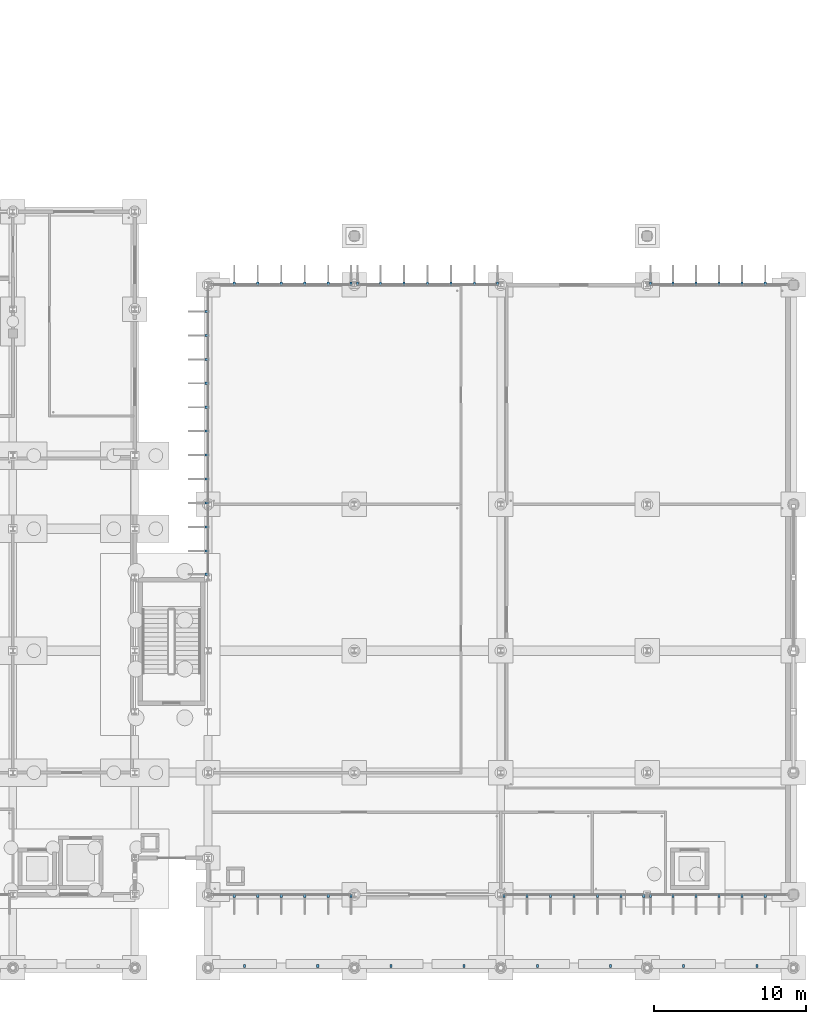
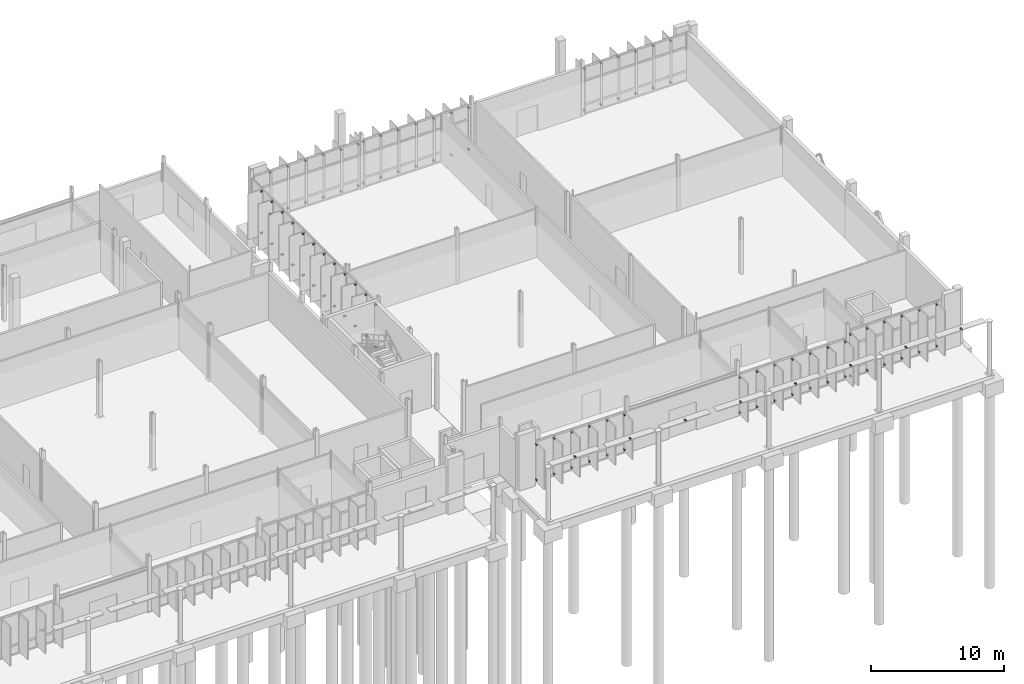
# One storey, part 101 of 111: 108 discrete accessories.
"""IFC4 building model written with IfcOpenShell, lengths in metres."""

import ifcopenshell
import ifcopenshell.guid

model = None  # the IFC model being written
_history = None  # IfcOwnerHistory: only IFC2X3 demands one
_inside = {}  # id of a spatial element -> (the spatial element, [elements in it])
_under = {}  # id of a project, library or spatial element -> (it, [spatial elements below it])
_declared = {}  # id of a project -> (the project, [libraries it declares])
_typed = {}  # id of a type object -> (the type object, [elements of that type])
_made_of = {}  # id of a material, layer set ... -> (it, [elements and type objects made of it])


def new_model(schema):
    """Start an empty IFC model of exactly this schema.

    Asked for "IFC4X3", IfcOpenShell would pick the latest addendum, in which some entities
    have other attributes; the version numbers below select the first issue.
    IFC2X3 requires an IfcOwnerHistory on every rooted entity: one is made here for all.
    """
    global model, _history
    if schema == "IFC4X3":
        model = ifcopenshell.file(schema_version=(4, 3, 0, 0))
    else:
        model = ifcopenshell.file(schema=schema)
    _inside.clear()
    _under.clear()
    _declared.clear()
    _typed.clear()
    _made_of.clear()
    _history = None
    if model.schema == "IFC2X3":
        org = make("IfcOrganization", Name="unknown")
        user = make(
            "IfcPersonAndOrganization",
            ThePerson=make("IfcPerson", FamilyName="unknown"),
            TheOrganization=org,
        )
        app = make(
            "IfcApplication",
            ApplicationDeveloper=org,
            Version="unknown",
            ApplicationFullName="unknown",
            ApplicationIdentifier="unknown",
        )
        _history = make(
            "IfcOwnerHistory",
            OwningUser=user,
            OwningApplication=app,
            ChangeAction="ADDED",
            CreationDate=0,
        )
    return model


def make(cls, **values):
    """One entity of the class cls with the attributes given. An attribute that is None is left unset."""
    return model.create_entity(
        cls, **{name: value for name, value in values.items() if value is not None}
    )


def rooted(cls, **values):
    """An entity with a GlobalId (a new one), such as an element, a storey or a relation."""
    return make(cls, GlobalId=ifcopenshell.guid.new(), OwnerHistory=_history, **values)


def si_unit(unit_type, name, prefix=None):
    """IfcSIUnit, for example si_unit("LENGTHUNIT", "METRE", prefix="MILLI")."""
    return make("IfcSIUnit", UnitType=unit_type, Prefix=prefix, Name=name)


def assignment(units):
    """IfcUnitAssignment: the units of a project."""
    return None if units is None else make("IfcUnitAssignment", Units=units)


def point(xyz):
    """IfcCartesianPoint."""
    return None if xyz is None else make("IfcCartesianPoint", Coordinates=xyz)


def direction(xyz):
    """IfcDirection."""
    return None if xyz is None else make("IfcDirection", DirectionRatios=xyz)


def frame(location, z_axis=None, x_axis=None):
    """IfcAxis2Placement3D, a coordinate frame: its origin and axes. An axis left out is left unset."""
    return make(
        "IfcAxis2Placement3D",
        Location=point(location),
        Axis=direction(z_axis),
        RefDirection=direction(x_axis),
    )


def frame_2d(location, x_axis=None):
    """IfcAxis2Placement2D, a coordinate frame in the plane: its origin and x axis."""
    return make(
        "IfcAxis2Placement2D", Location=point(location), RefDirection=direction(x_axis)
    )


def origin():
    """The frame at (0, 0, 0) with its axes left unset."""
    return frame((0.0, 0.0, 0.0))


def origin_2d():
    """The frame at (0, 0) in the plane with its x axis left unset."""
    return frame_2d((0.0, 0.0))


def place(relative_to, where):
    """IfcLocalPlacement: puts the frame where relative to a parent placement (None: the world)."""
    return make(
        "IfcLocalPlacement", PlacementRelTo=relative_to, RelativePlacement=where
    )


def context(
    kind, dimensions, precision=None, world=None, true_north=None, identifier=None
):
    """IfcGeometricRepresentationContext, for example the 3D "Model" context."""
    return make(
        "IfcGeometricRepresentationContext",
        ContextIdentifier=identifier,
        ContextType=kind,
        CoordinateSpaceDimension=dimensions,
        Precision=precision,
        WorldCoordinateSystem=world,
        TrueNorth=true_north,
    )


def subcontext(parent, identifier, kind, view, scale=None):
    """IfcGeometricRepresentationSubContext, for example "Body" below "Model"."""
    return make(
        "IfcGeometricRepresentationSubContext",
        ContextIdentifier=identifier,
        ContextType=kind,
        ParentContext=parent,
        TargetScale=scale,
        TargetView=view,
    )


def project(units=None, contexts=None):
    """IfcProject with its units and contexts."""
    return rooted(
        "IfcProject",
        Name="project",
        RepresentationContexts=contexts,
        UnitsInContext=assignment(units),
    )


def spatial(cls, under=None, at=None, **own):
    """A site, building, storey or space (cls), placed at a placement, below another one or the project."""
    s = rooted(cls, ObjectPlacement=at, **own)
    if under is not None:
        _under.setdefault(under.id(), (under, []))[1].append(s)
    return s


def profile(cls, at=None, kind="AREA", **sizes):
    """A parametric profile (cls). Its sizes go by their IFC names, for example OverallWidth=200.0."""
    return make(cls, ProfileType=kind, Position=at, **sizes)


def rectangle(**sizes):
    """IfcRectangleProfileDef."""
    return profile("IfcRectangleProfileDef", **sizes)


def extrude(swept, where, along, depth):
    """IfcExtrudedAreaSolid: the profile swept, set in the frame where, extruded along a direction by depth."""
    return make(
        "IfcExtrudedAreaSolid",
        SweptArea=swept,
        Position=where,
        ExtrudedDirection=direction(along),
        Depth=depth,
    )


def shape(context_of_items, identifier, shape_type, items):
    """IfcShapeRepresentation: the items that make up one representation, for example the "Body"."""
    return make(
        "IfcShapeRepresentation",
        ContextOfItems=context_of_items,
        RepresentationIdentifier=identifier,
        RepresentationType=shape_type,
        Items=items,
    )


def material(Name=None, Category=None):
    """IfcMaterial."""
    return make("IfcMaterial", Name=Name, Category=Category)


def made_of(thing, what):
    """Note that an element or type object is made of a material, layer set ...; save() writes the relation."""
    if what is not None:
        _made_of.setdefault(what.id(), (what, []))[1].append(thing)
    return thing


def type_object(cls, material=None, **own):
    """A type object (cls), such as IfcWallType, which elements share."""
    return made_of(rooted(cls, **own), material)


def element(
    cls,
    number,
    at=None,
    inside=None,
    cuts=None,
    type_object=None,
    material=None,
    context=None,
    identifier="Body",
    shape_type=None,
    held_by="IfcProductDefinitionShape",
    body=None,
    shapes=None,
    **own,
):
    """One element of the class cls, such as IfcWall. Its Tag is "e" and its number.

    at: its placement. inside: the storey or other place that contains it. cuts: it is an
    opening in that element (IfcRelVoidsElement). A single representation is given by context,
    identifier, shape_type and body (its items); several are given by shapes. held_by: the class
    of the entity that holds the representations. save() writes the other relations.
    """
    e = rooted(cls, Tag="e%d" % number, ObjectPlacement=at, **own)
    if body is not None:
        shapes = [shape(context, identifier, shape_type, body)]
    if shapes is not None:
        e.Representation = make(held_by, Representations=shapes)
    if inside is not None:
        _inside.setdefault(inside.id(), (inside, []))[1].append(e)
    if cuts is not None:
        rooted(
            "IfcRelVoidsElement", RelatingBuildingElement=cuts, RelatedOpeningElement=e
        )
    if type_object is not None:
        _typed.setdefault(type_object.id(), (type_object, []))[1].append(e)
    return made_of(e, material)


def aggregate(whole, parts):
    """IfcRelAggregates: a whole, such as a stair, and the parts it consists of."""
    return rooted("IfcRelAggregates", RelatingObject=whole, RelatedObjects=parts)


def save(model, path):
    """Write the relations noted so far, then the file.

    IfcRelAggregates (storeys below a building ...), IfcRelContainedInSpatialStructure (elements
    in a storey), IfcRelDefinesByType, IfcRelAssociatesMaterial and IfcRelDeclares: one each for
    every whole, place, type object, material and project.
    """
    for whole, parts in _under.values():
        aggregate(whole, parts)
    for where, things in _inside.values():
        rooted(
            "IfcRelContainedInSpatialStructure",
            RelatedElements=things,
            RelatingStructure=where,
        )
    for kind, things in _typed.values():
        rooted("IfcRelDefinesByType", RelatedObjects=things, RelatingType=kind)
    for what, things in _made_of.values():
        rooted("IfcRelAssociatesMaterial", RelatedObjects=things, RelatingMaterial=what)
    for by, libraries in _declared.values():
        rooted("IfcRelDeclares", RelatingContext=by, RelatedDefinitions=libraries)
    model.write(path)


model = new_model("IFC4")

# Units and contexts
model_context = context("Model", 3, precision=1e-05, world=origin(), true_north=direction((0.0, 1.0)))
body_context = subcontext(model_context, "Body", "Model", "MODEL_VIEW")
ifc_project = project(units=[si_unit("LENGTHUNIT", "METRE"), si_unit("AREAUNIT", "SQUARE_METRE"), si_unit("VOLUMEUNIT", "CUBIC_METRE"), si_unit("PLANEANGLEUNIT", "RADIAN"), si_unit("MASSUNIT", "GRAM", prefix="KILO")], contexts=[model_context])

# Site, building, storey
site_placement = place(None, origin())
site = spatial("IfcSite", under=ifc_project, at=site_placement, CompositionType="ELEMENT")
building_placement = place(site_placement, origin())
building = spatial("IfcBuilding", under=site, at=building_placement, Name="Dunescarp Central Library", CompositionType="ELEMENT")
storey_placement = place(building_placement, origin())
storey = spatial("IfcBuildingStorey", under=building, at=storey_placement, Name="L00", CompositionType="ELEMENT", Elevation=0.0)

# Discrete accessories
ifc_material = material(Name="Stainless steel Grade 316L", Category="steel")
discrete_accessory_type = type_object("IfcDiscreteAccessoryType", Name="ARC-ACC-BRK", PredefinedType="BRACKET", material=ifc_material)
for number, where, z_axis, x_axis, name in (
    (1, (138.985107421875, 4.719970703125, 0.27685546875), (0.0, 0.0, 1.0), (0.0, -1.0, 0.0), "Fin bracket BRK-FIN-L00-0916-B"),
    (2, (138.985107421875, 4.719970703125, 3.47509765625), (0.0, 0.0, 1.0), (0.0, -1.0, 0.0), "Fin bracket BRK-FIN-L00-0916-T"),
    (3, (137.48291015625, 4.719970703125, 0.2900390625), (0.0, 0.0, 1.0), (0.0, -1.0, 0.0), "Fin bracket BRK-FIN-L00-0917-B"),
    (4, (137.48291015625, 4.719970703125, 3.47509765625), (0.0, 0.0, 1.0), (0.0, -1.0, 0.0), "Fin bracket BRK-FIN-L00-0917-T"),
    (5, (135.94189453125, 4.719970703125, 0.27392578125), (0.0, 0.0, 1.0), (0.0, -1.0, 0.0), "Fin bracket BRK-FIN-L00-0918-B"),
    (6, (135.94189453125, 4.719970703125, 3.47509765625), (0.0, 0.0, 1.0), (0.0, -1.0, 0.0), "Fin bracket BRK-FIN-L00-0918-T"),
    (7, (134.39990234375, 4.719970703125, 0.23291015625), (0.0, 0.0, 1.0), (0.0, -1.0, 0.0), "Fin bracket BRK-FIN-L00-0919-B"),
    (8, (134.39990234375, 4.719970703125, 3.47509765625), (0.0, 0.0, 1.0), (0.0, -1.0, 0.0), "Fin bracket BRK-FIN-L00-0919-T"),
    (9, (132.85791015625, 4.719970703125, 0.18994140625), (0.0, 0.0, 1.0), (0.0, -1.0, 0.0), "Fin bracket BRK-FIN-L00-0920-B"),
    (10, (132.85791015625, 4.719970703125, 3.4638671875), (0.0, 0.0, 1.0), (0.0, -1.0, 0.0), "Fin bracket BRK-FIN-L00-0920-T"),
    (11, (131.31689453125, 4.719970703125, 0.18994140625), (0.0, 0.0, 1.0), (0.0, -1.0, 0.0), "Fin bracket BRK-FIN-L00-0921-B"),
    (12, (131.31689453125, 4.719970703125, 3.4140625), (0.0, 0.0, 1.0), (0.0, -1.0, 0.0), "Fin bracket BRK-FIN-L00-0921-T"),
    (13, (158.18505859375, 4.719970703125, 0.27685546875), (0.0, 0.0, 1.0), (0.0, -1.0, 0.0), "Fin bracket BRK-FIN-L00-0922-B"),
    (14, (158.18505859375, 4.719970703125, 3.47509765625), (0.0, 0.0, 1.0), (0.0, -1.0, 0.0), "Fin bracket BRK-FIN-L00-0922-T"),
    (15, (156.68310546875, 4.719970703125, 0.2900390625), (0.0, 0.0, 1.0), (0.0, -1.0, 0.0), "Fin bracket BRK-FIN-L00-0923-B"),
    (16, (156.68310546875, 4.719970703125, 3.47509765625), (0.0, 0.0, 1.0), (0.0, -1.0, 0.0), "Fin bracket BRK-FIN-L00-0923-T"),
    (17, (155.14208984375, 4.719970703125, 0.27392578125), (0.0, 0.0, 1.0), (0.0, -1.0, 0.0), "Fin bracket BRK-FIN-L00-0924-B"),
    (18, (155.14208984375, 4.719970703125, 3.47509765625), (0.0, 0.0, 1.0), (0.0, -1.0, 0.0), "Fin bracket BRK-FIN-L00-0924-T"),
    (19, (153.60009765625, 4.719970703125, 0.23291015625), (0.0, 0.0, 1.0), (0.0, -1.0, 0.0), "Fin bracket BRK-FIN-L00-0925-B"),
    (20, (153.60009765625, 4.719970703125, 3.47509765625), (0.0, 0.0, 1.0), (0.0, -1.0, 0.0), "Fin bracket BRK-FIN-L00-0925-T"),
    (21, (152.05810546875, 4.719970703125, 0.18994140625), (0.0, 0.0, 1.0), (0.0, -1.0, 0.0), "Fin bracket BRK-FIN-L00-0926-B"),
    (22, (152.05810546875, 4.719970703125, 3.4638671875), (0.0, 0.0, 1.0), (0.0, -1.0, 0.0), "Fin bracket BRK-FIN-L00-0926-T"),
    (23, (150.51708984375, 4.719970703125, 0.18994140625), (0.0, 0.0, 1.0), (0.0, -1.0, 0.0), "Fin bracket BRK-FIN-L00-0927-B"),
    (24, (150.51708984375, 4.719970703125, 3.4140625), (0.0, 0.0, 1.0), (0.0, -1.0, 0.0), "Fin bracket BRK-FIN-L00-0927-T"),
    (25, (149.014892578125, 4.719970703125, 0.18994140625), (0.0, 0.0, 1.0), (0.0, -1.0, 0.0), "Fin bracket BRK-FIN-L00-0928-B"),
    (26, (149.014892578125, 4.719970703125, 3.380859375), (0.0, 0.0, 1.0), (0.0, -1.0, 0.0), "Fin bracket BRK-FIN-L00-0928-T"),
    (27, (166.14990234375, 4.719970703125, 0.2900390625), (0.0, 0.0, 1.0), (0.0, -1.0, 0.0), "Fin bracket BRK-FIN-L00-0929-B"),
    (28, (166.14990234375, 4.719970703125, 4.11181640625), (0.0, 0.0, 1.0), (0.0, -1.0, 0.0), "Fin bracket BRK-FIN-L00-0929-T"),
    (29, (164.635009765625, 4.719970703125, 0.27392578125), (0.0, 0.0, 1.0), (0.0, -1.0, 0.0), "Fin bracket BRK-FIN-L00-0930-B"),
    (30, (164.635009765625, 4.719970703125, 4.11181640625), (0.0, 0.0, 1.0), (0.0, -1.0, 0.0), "Fin bracket BRK-FIN-L00-0930-T"),
    (31, (163.1201171875, 4.719970703125, 0.23291015625), (0.0, 0.0, 1.0), (0.0, -1.0, 0.0), "Fin bracket BRK-FIN-L00-0931-B"),
    (32, (163.1201171875, 4.719970703125, 4.11181640625), (0.0, 0.0, 1.0), (0.0, -1.0, 0.0), "Fin bracket BRK-FIN-L00-0931-T"),
    (33, (161.60498046875, 4.719970703125, 0.18994140625), (0.0, 0.0, 1.0), (0.0, -1.0, 0.0), "Fin bracket BRK-FIN-L00-0932-B"),
    (34, (161.60498046875, 4.719970703125, 4.10107421875), (0.0, 0.0, 1.0), (0.0, -1.0, 0.0), "Fin bracket BRK-FIN-L00-0932-T"),
    (35, (160.090087890625, 4.719970703125, 0.18994140625), (0.0, 0.0, 1.0), (0.0, -1.0, 0.0), "Fin bracket BRK-FIN-L00-0933-B"),
    (36, (160.090087890625, 4.719970703125, 4.05126953125), (0.0, 0.0, 1.0), (0.0, -1.0, 0.0), "Fin bracket BRK-FIN-L00-0933-T"),
    (37, (158.614990234375, 4.719970703125, 0.18994140625), (0.0, 0.0, 1.0), (0.0, -1.0, 0.0), "Fin bracket BRK-FIN-L00-0934-B"),
    (38, (158.614990234375, 4.719970703125, 4.01806640625), (0.0, 0.0, 1.0), (0.0, -1.0, 0.0), "Fin bracket BRK-FIN-L00-0934-T"),
    (39, (131.31689453125, 44.8798828125, 0.2900390625), (0.0, 0.0, 1.0), (0.0, 1.0, 0.0), "Fin bracket BRK-FIN-L00-0935-B"),
    (40, (131.31689453125, 44.8798828125, 4.11181640625), (0.0, 0.0, 1.0), (0.0, 1.0, 0.0), "Fin bracket BRK-FIN-L00-0935-T"),
    (41, (132.85791015625, 44.8798828125, 0.27392578125), (0.0, 0.0, 1.0), (0.0, 1.0, 0.0), "Fin bracket BRK-FIN-L00-0936-B"),
    (42, (132.85791015625, 44.8798828125, 4.11181640625), (0.0, 0.0, 1.0), (0.0, 1.0, 0.0), "Fin bracket BRK-FIN-L00-0936-T"),
    (43, (134.39990234375, 44.8798828125, 0.23291015625), (0.0, 0.0, 1.0), (0.0, 1.0, 0.0), "Fin bracket BRK-FIN-L00-0937-B"),
    (44, (134.39990234375, 44.8798828125, 4.11181640625), (0.0, 0.0, 1.0), (0.0, 1.0, 0.0), "Fin bracket BRK-FIN-L00-0937-T"),
    (45, (135.94189453125, 44.8798828125, 0.18994140625), (0.0, 0.0, 1.0), (0.0, 1.0, 0.0), "Fin bracket BRK-FIN-L00-0938-B"),
    (46, (135.94189453125, 44.8798828125, 4.10107421875), (0.0, 0.0, 1.0), (0.0, 1.0, 0.0), "Fin bracket BRK-FIN-L00-0938-T"),
    (47, (137.48291015625, 44.8798828125, 0.18994140625), (0.0, 0.0, 1.0), (0.0, 1.0, 0.0), "Fin bracket BRK-FIN-L00-0939-B"),
    (48, (137.48291015625, 44.8798828125, 4.05126953125), (0.0, 0.0, 1.0), (0.0, 1.0, 0.0), "Fin bracket BRK-FIN-L00-0939-T"),
    (49, (138.985107421875, 44.8798828125, 0.18994140625), (0.0, 0.0, 1.0), (0.0, 1.0, 0.0), "Fin bracket BRK-FIN-L00-0940-B"),
    (50, (138.985107421875, 44.8798828125, 4.01806640625), (0.0, 0.0, 1.0), (0.0, 1.0, 0.0), "Fin bracket BRK-FIN-L00-0940-T"),
    (51, (139.4150390625, 44.8798828125, 0.27685546875), (0.0, 0.0, 1.0), (0.0, 1.0, 0.0), "Fin bracket BRK-FIN-L00-0941-B"),
    (52, (139.4150390625, 44.8798828125, 4.11181640625), (0.0, 0.0, 1.0), (0.0, 1.0, 0.0), "Fin bracket BRK-FIN-L00-0941-T"),
    (53, (140.9169921875, 44.8798828125, 0.2900390625), (0.0, 0.0, 1.0), (0.0, 1.0, 0.0), "Fin bracket BRK-FIN-L00-0942-B"),
    (54, (140.9169921875, 44.8798828125, 4.11181640625), (0.0, 0.0, 1.0), (0.0, 1.0, 0.0), "Fin bracket BRK-FIN-L00-0942-T"),
    (55, (142.4580078125, 44.8798828125, 0.27392578125), (0.0, 0.0, 1.0), (0.0, 1.0, 0.0), "Fin bracket BRK-FIN-L00-0943-B"),
    (56, (142.4580078125, 44.8798828125, 4.11181640625), (0.0, 0.0, 1.0), (0.0, 1.0, 0.0), "Fin bracket BRK-FIN-L00-0943-T"),
    (57, (144.0, 44.8798828125, 0.23291015625), (0.0, 0.0, 1.0), (0.0, 1.0, 0.0), "Fin bracket BRK-FIN-L00-0944-B"),
    (58, (144.0, 44.8798828125, 4.11181640625), (0.0, 0.0, 1.0), (0.0, 1.0, 0.0), "Fin bracket BRK-FIN-L00-0944-T"),
    (59, (145.5419921875, 44.8798828125, 0.18994140625), (0.0, 0.0, 1.0), (0.0, 1.0, 0.0), "Fin bracket BRK-FIN-L00-0945-B"),
    (60, (145.5419921875, 44.8798828125, 4.10107421875), (0.0, 0.0, 1.0), (0.0, 1.0, 0.0), "Fin bracket BRK-FIN-L00-0945-T"),
    (61, (147.0830078125, 44.8798828125, 0.18994140625), (0.0, 0.0, 1.0), (0.0, 1.0, 0.0), "Fin bracket BRK-FIN-L00-0946-B"),
    (62, (147.0830078125, 44.8798828125, 4.05126953125), (0.0, 0.0, 1.0), (0.0, 1.0, 0.0), "Fin bracket BRK-FIN-L00-0946-T"),
    (63, (148.5849609375, 44.8798828125, 0.18994140625), (0.0, 0.0, 1.0), (0.0, 1.0, 0.0), "Fin bracket BRK-FIN-L00-0947-B"),
    (64, (148.5849609375, 44.8798828125, 4.01806640625), (0.0, 0.0, 1.0), (0.0, 1.0, 0.0), "Fin bracket BRK-FIN-L00-0947-T"),
    (65, (158.614990234375, 44.8798828125, 0.27685546875), (0.0, 0.0, 1.0), (0.0, 1.0, 0.0), "Fin bracket BRK-FIN-L00-0948-B"),
    (66, (158.614990234375, 44.8798828125, 4.11181640625), (0.0, 0.0, 1.0), (0.0, 1.0, 0.0), "Fin bracket BRK-FIN-L00-0948-T"),
    (67, (160.090087890625, 44.8798828125, 0.2900390625), (0.0, 0.0, 1.0), (0.0, 1.0, 0.0), "Fin bracket BRK-FIN-L00-0949-B"),
    (68, (160.090087890625, 44.8798828125, 4.11181640625), (0.0, 0.0, 1.0), (0.0, 1.0, 0.0), "Fin bracket BRK-FIN-L00-0949-T"),
    (69, (161.60498046875, 44.8798828125, 0.27392578125), (0.0, 0.0, 1.0), (0.0, 1.0, 0.0), "Fin bracket BRK-FIN-L00-0950-B"),
    (70, (161.60498046875, 44.8798828125, 4.11181640625), (0.0, 0.0, 1.0), (0.0, 1.0, 0.0), "Fin bracket BRK-FIN-L00-0950-T"),
    (71, (163.1201171875, 44.8798828125, 0.23291015625), (0.0, 0.0, 1.0), (0.0, 1.0, 0.0), "Fin bracket BRK-FIN-L00-0951-B"),
    (72, (163.1201171875, 44.8798828125, 4.11181640625), (0.0, 0.0, 1.0), (0.0, 1.0, 0.0), "Fin bracket BRK-FIN-L00-0951-T"),
    (73, (164.635009765625, 44.8798828125, 0.18994140625), (0.0, 0.0, 1.0), (0.0, 1.0, 0.0), "Fin bracket BRK-FIN-L00-0952-B"),
    (74, (164.635009765625, 44.8798828125, 4.10107421875), (0.0, 0.0, 1.0), (0.0, 1.0, 0.0), "Fin bracket BRK-FIN-L00-0952-T"),
    (75, (166.14990234375, 44.8798828125, 0.18994140625), (0.0, 0.0, 1.0), (0.0, 1.0, 0.0), "Fin bracket BRK-FIN-L00-0953-B"),
    (76, (166.14990234375, 44.8798828125, 4.05126953125), (0.0, 0.0, 1.0), (0.0, 1.0, 0.0), "Fin bracket BRK-FIN-L00-0953-T"),
    (77, (129.52001953125, 25.81494140625, 0.27685546875), (0.0, 0.0, 1.0), (-1.0, 0.0, 0.0), "Fin bracket BRK-FIN-L00-0954-B"),
    (78, (129.52001953125, 25.81494140625, 4.11181640625), (0.0, 0.0, 1.0), (-1.0, 0.0, 0.0), "Fin bracket BRK-FIN-L00-0954-T"),
    (79, (129.52001953125, 27.345947265625, 0.2900390625), (0.0, 0.0, 1.0), (-1.0, 0.0, 0.0), "Fin bracket BRK-FIN-L00-0955-B"),
    (80, (129.52001953125, 27.345947265625, 4.11181640625), (0.0, 0.0, 1.0), (-1.0, 0.0, 0.0), "Fin bracket BRK-FIN-L00-0955-T"),
    (81, (129.52001953125, 28.9169921875, 0.27392578125), (0.0, 0.0, 1.0), (-1.0, 0.0, 0.0), "Fin bracket BRK-FIN-L00-0956-B"),
    (82, (129.52001953125, 28.9169921875, 4.11181640625), (0.0, 0.0, 1.0), (-1.0, 0.0, 0.0), "Fin bracket BRK-FIN-L00-0956-T"),
    (83, (129.52001953125, 30.487060546875, 0.23291015625), (0.0, 0.0, 1.0), (-1.0, 0.0, 0.0), "Fin bracket BRK-FIN-L00-0957-B"),
    (84, (129.52001953125, 30.487060546875, 4.11181640625), (0.0, 0.0, 1.0), (-1.0, 0.0, 0.0), "Fin bracket BRK-FIN-L00-0957-T"),
    (85, (129.52001953125, 32.05810546875, 0.18994140625), (0.0, 0.0, 1.0), (-1.0, 0.0, 0.0), "Fin bracket BRK-FIN-L00-0958-B"),
    (86, (129.52001953125, 32.05810546875, 4.10107421875), (0.0, 0.0, 1.0), (-1.0, 0.0, 0.0), "Fin bracket BRK-FIN-L00-0958-T"),
    (87, (129.52001953125, 33.62890625, 0.18994140625), (0.0, 0.0, 1.0), (-1.0, 0.0, 0.0), "Fin bracket BRK-FIN-L00-0959-B"),
    (88, (129.52001953125, 33.62890625, 4.05126953125), (0.0, 0.0, 1.0), (-1.0, 0.0, 0.0), "Fin bracket BRK-FIN-L00-0959-T"),
    (89, (129.52001953125, 35.199951171875, 0.18994140625), (0.0, 0.0, 1.0), (-1.0, 0.0, 0.0), "Fin bracket BRK-FIN-L00-0960-B"),
    (90, (129.52001953125, 35.199951171875, 4.01806640625), (0.0, 0.0, 1.0), (-1.0, 0.0, 0.0), "Fin bracket BRK-FIN-L00-0960-T"),
    (91, (129.52001953125, 36.77099609375, 0.18994140625), (0.0, 0.0, 1.0), (-1.0, 0.0, 0.0), "Fin bracket BRK-FIN-L00-0961-B"),
    (92, (129.52001953125, 36.77099609375, 4.01416015625), (0.0, 0.0, 1.0), (-1.0, 0.0, 0.0), "Fin bracket BRK-FIN-L00-0961-T"),
    (93, (129.52001953125, 38.342041015625, 0.18994140625), (0.0, 0.0, 1.0), (-1.0, 0.0, 0.0), "Fin bracket BRK-FIN-L00-0962-B"),
    (94, (129.52001953125, 38.342041015625, 4.0380859375), (0.0, 0.0, 1.0), (-1.0, 0.0, 0.0), "Fin bracket BRK-FIN-L00-0962-T"),
    (95, (129.52001953125, 39.9130859375, 0.18994140625), (0.0, 0.0, 1.0), (-1.0, 0.0, 0.0), "Fin bracket BRK-FIN-L00-0963-B"),
    (96, (129.52001953125, 39.9130859375, 4.083984375), (0.0, 0.0, 1.0), (-1.0, 0.0, 0.0), "Fin bracket BRK-FIN-L00-0963-T"),
    (97, (129.52001953125, 41.48291015625, 0.2158203125), (0.0, 0.0, 1.0), (-1.0, 0.0, 0.0), "Fin bracket BRK-FIN-L00-0964-B"),
    (98, (129.52001953125, 41.48291015625, 4.11181640625), (0.0, 0.0, 1.0), (-1.0, 0.0, 0.0), "Fin bracket BRK-FIN-L00-0964-T"),
    (99, (129.52001953125, 43.053955078125, 0.26318359375), (0.0, 0.0, 1.0), (-1.0, 0.0, 0.0), "Fin bracket BRK-FIN-L00-0965-B"),
    (100, (129.52001953125, 43.053955078125, 4.11181640625), (0.0, 0.0, 1.0), (-1.0, 0.0, 0.0), "Fin bracket BRK-FIN-L00-0965-T"),
):
    element("IfcDiscreteAccessory", number, at=place(storey_placement, frame(where, z_axis=z_axis, x_axis=x_axis)), inside=storey, type_object=discrete_accessory_type, Name=name, PredefinedType="BRACKET", context=body_context, shape_type="SweptSolid", body=[
        extrude(rectangle(XDim=0.219970703125, YDim=0.139892578125, at=origin_2d()), origin(), (0.0, 0.0, 1.0), 0.139892578125),
    ])
for number, where, z_axis, x_axis, name in (
    (101, (132.0, 0.1201171875, 4.81982421875), (0.0, 0.0, 1.0), (1.0, 0.0, 0.0), "Louvre bracket 025"),
    (102, (136.800048828125, 0.1201171875, 4.81982421875), (0.0, 0.0, 1.0), (1.0, 0.0, 0.0), "Louvre bracket 026"),
    (103, (141.60009765625, 0.1201171875, 4.81982421875), (0.0, 0.0, 1.0), (1.0, 0.0, 0.0), "Louvre bracket 027"),
    (104, (146.39990234375, 0.1201171875, 4.81982421875), (0.0, 0.0, 1.0), (1.0, 0.0, 0.0), "Louvre bracket 028"),
    (105, (151.199951171875, 0.1201171875, 4.81982421875), (0.0, 0.0, 1.0), (1.0, 0.0, 0.0), "Louvre bracket 029"),
    (106, (156.0, 0.1201171875, 4.81982421875), (0.0, 0.0, 1.0), (1.0, 0.0, 0.0), "Louvre bracket 030"),
    (107, (160.800048828125, 0.1201171875, 4.81982421875), (0.0, 0.0, 1.0), (1.0, 0.0, 0.0), "Louvre bracket 031"),
    (108, (165.60009765625, 0.1201171875, 4.81982421875), (0.0, 0.0, 1.0), (1.0, 0.0, 0.0), "Louvre bracket 032"),
):
    element("IfcDiscreteAccessory", number, at=place(storey_placement, frame(where, z_axis=z_axis, x_axis=x_axis)), inside=storey, type_object=discrete_accessory_type, Name=name, PredefinedType="BRACKET", context=body_context, shape_type="SweptSolid", body=[
        extrude(rectangle(XDim=0.139892578125, YDim=0.219970703125, at=origin_2d()), origin(), (0.0, 0.0, 1.0), 0.139892578125),
    ])

save(model, "model.ifc")
